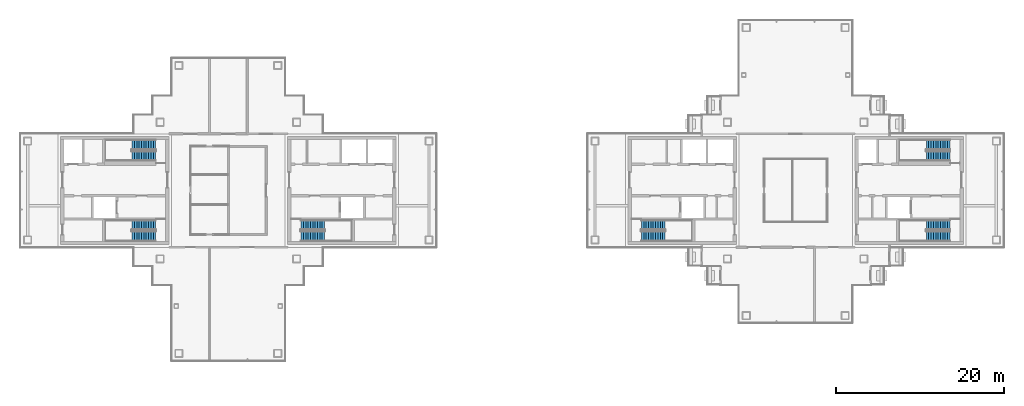
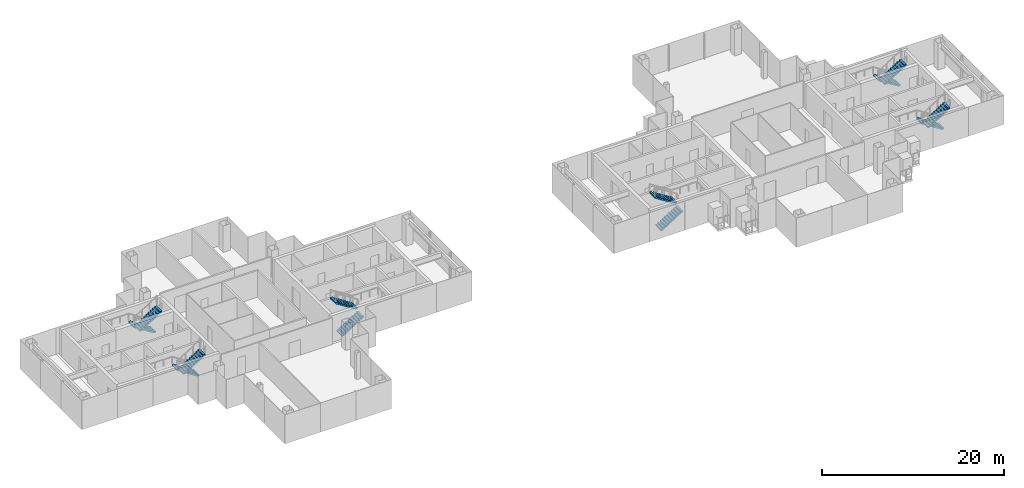
# One storey, part 13 of 16: 12 stair flights, 6 elements without a shape of their own.
"""IFC4 building model written with IfcOpenShell, lengths in metres."""

from ifc_helpers import new_model, si_unit, direction, frame, origin, place, context, subcontext, project, spatial, polyline, outline, extrude, material, type_object, element, aggregate, save


model = new_model("IFC4")

# Units and contexts
model_context = context("Model", 3, precision=1e-05, world=origin(), true_north=direction((0.0, 1.0)))
body_context = subcontext(model_context, "Body", "Model", "MODEL_VIEW")
ifc_project = project(units=[si_unit("LENGTHUNIT", "METRE"), si_unit("AREAUNIT", "SQUARE_METRE"), si_unit("VOLUMEUNIT", "CUBIC_METRE"), si_unit("PLANEANGLEUNIT", "RADIAN"), si_unit("MASSUNIT", "GRAM", prefix="KILO")], contexts=[model_context])

# Site, building, storey
site_placement = place(None, origin())
site = spatial("IfcSite", under=ifc_project, at=site_placement, CompositionType="ELEMENT")
building_placement = place(site_placement, origin())
building = spatial("IfcBuilding", under=site, at=building_placement, Name="Shamsa Quay Exchange Towers", CompositionType="ELEMENT")
storey_placement = place(building_placement, frame((0.0, 0.0, 246.0)))
storey = spatial("IfcBuildingStorey", under=building, at=storey_placement, Name="L59", CompositionType="ELEMENT", Elevation=246.0)

# Stair, stair flights
ifc_material = material(Name="Concrete C40/50", Category="concrete")
stair_type = type_object("IfcStairType", Name="EXIT STAIR 22 RISERS 177 MM", PredefinedType="HALF_TURN_STAIR", material=ifc_material)
stair_1_placement = place(storey_placement, origin())
stair_1 = element("IfcStair", 1, at=stair_1_placement, inside=storey, type_object=stair_type, Name="L59 Exit stair ST1", PredefinedType="HALF_TURN_STAIR")
stair_flight_type = type_object("IfcStairFlightType", Name="EXIT STAIR FLIGHT 11 RISERS 177 MM", PredefinedType="STRAIGHT", material=ifc_material)
stair_flight_1_placement = place(storey_placement, frame((-25.10009765625, -5.449951171875, 0.0)))
stair_flight_1 = element("IfcStairFlight", 2, at=stair_flight_1_placement, type_object=stair_flight_type, Name="ST1 flight 1", NumberOfRisers=11, NumberOfTreads=10, PredefinedType="STRAIGHT", RiserHeight=0.177272727, TreadLength=0.28, context=body_context, shape_type="SweptSolid", body=[
    extrude(outline(polyline([(0.0, 0.0), (0.0, 0.17724609375), (0.280029296875, 0.17724609375), (0.280029296875, 0.3544921875), (0.56005859375, 0.3544921875), (0.56005859375, 0.53173828125), (0.840087890625, 0.53173828125), (0.840087890625, 0.708984375), (1.1201171875, 0.708984375), (1.1201171875, 0.886474609375), (1.39990234375, 0.886474609375), (1.39990234375, 1.063720703125), (1.679931640625, 1.063720703125), (1.679931640625, 1.240966796875), (1.9599609375, 1.240966796875), (1.9599609375, 1.418212890625), (2.239990234375, 1.418212890625), (2.239990234375, 1.595458984375), (2.52001953125, 1.595458984375), (2.52001953125, 1.772705078125), (2.800048828125, 1.772705078125), (2.800048828125, 1.949951171875), (2.800048828125, 1.607177734375), (0.261474609375, 0.0), (0.0, 0.0)])), frame((0.0, 0.60009765625, 0.0), z_axis=(0.0, -1.0, 0.0), x_axis=(1.0, 0.0, 0.0)), (0.0, 0.0, 1.0), 1.199951171875),
])
stair_flight_2_placement = place(storey_placement, frame((-22.300048828125, -4.10009765625, 1.949951171875), z_axis=(0.0, 0.0, 1.0), x_axis=(-1.0, 0.0, 0.0)))
stair_flight_2 = element("IfcStairFlight", 3, at=stair_flight_2_placement, type_object=stair_flight_type, Name="ST1 flight 2", NumberOfRisers=11, NumberOfTreads=10, PredefinedType="STRAIGHT", RiserHeight=0.177272727, TreadLength=0.28, context=body_context, shape_type="SweptSolid", body=[
    extrude(outline(polyline([(0.0, 0.0), (0.0, 0.17724609375), (0.280029296875, 0.17724609375), (0.280029296875, 0.3544921875), (0.56005859375, 0.3544921875), (0.56005859375, 0.53173828125), (0.840087890625, 0.53173828125), (0.840087890625, 0.708984375), (1.1201171875, 0.708984375), (1.1201171875, 0.886474609375), (1.39990234375, 0.886474609375), (1.39990234375, 1.063720703125), (1.679931640625, 1.063720703125), (1.679931640625, 1.240966796875), (1.9599609375, 1.240966796875), (1.9599609375, 1.418212890625), (2.239990234375, 1.418212890625), (2.239990234375, 1.595458984375), (2.52001953125, 1.595458984375), (2.52001953125, 1.772705078125), (2.800048828125, 1.772705078125), (2.800048828125, 1.949951171875), (2.800048828125, 1.607177734375), (0.261474609375, 0.0), (0.0, 0.0)])), frame((0.0, 0.60009765625, 0.0), z_axis=(0.0, -1.0, 0.0), x_axis=(1.0, 0.0, 0.0)), (0.0, 0.0, 1.0), 1.199951171875),
])
aggregate(stair_1, [stair_flight_1, stair_flight_2])

stair_2_placement = place(storey_placement, origin())
stair_2 = element("IfcStair", 4, at=stair_2_placement, inside=storey, type_object=stair_type, Name="L59 Exit stair ST2", PredefinedType="HALF_TURN_STAIR")
stair_flight_3_placement = place(storey_placement, frame((-42.39990234375, -4.10009765625, 0.0), z_axis=(0.0, 0.0, 1.0), x_axis=(-1.0, 0.0, 0.0)))
stair_flight_3 = element("IfcStairFlight", 5, at=stair_flight_3_placement, type_object=stair_flight_type, Name="ST2 flight 1", NumberOfRisers=11, NumberOfTreads=10, PredefinedType="STRAIGHT", RiserHeight=0.177272727, TreadLength=0.28, context=body_context, shape_type="SweptSolid", body=[
    extrude(outline(polyline([(0.0, 0.0), (0.0, 0.17724609375), (0.280029296875, 0.17724609375), (0.280029296875, 0.3544921875), (0.56005859375, 0.3544921875), (0.56005859375, 0.53173828125), (0.840087890625, 0.53173828125), (0.840087890625, 0.708984375), (1.1201171875, 0.708984375), (1.1201171875, 0.886474609375), (1.39990234375, 0.886474609375), (1.39990234375, 1.063720703125), (1.679931640625, 1.063720703125), (1.679931640625, 1.240966796875), (1.9599609375, 1.240966796875), (1.9599609375, 1.418212890625), (2.239990234375, 1.418212890625), (2.239990234375, 1.595458984375), (2.52001953125, 1.595458984375), (2.52001953125, 1.772705078125), (2.800048828125, 1.772705078125), (2.800048828125, 1.949951171875), (2.800048828125, 1.607177734375), (0.261474609375, 0.0), (0.0, 0.0)])), frame((0.0, 0.60009765625, 0.0), z_axis=(0.0, -1.0, 0.0), x_axis=(1.0, 0.0, 0.0)), (0.0, 0.0, 1.0), 1.199951171875),
])
stair_flight_4_placement = place(storey_placement, frame((-45.199951171875, -5.449951171875, 1.949951171875)))
stair_flight_4 = element("IfcStairFlight", 6, at=stair_flight_4_placement, type_object=stair_flight_type, Name="ST2 flight 2", NumberOfRisers=11, NumberOfTreads=10, PredefinedType="STRAIGHT", RiserHeight=0.177272727, TreadLength=0.28, context=body_context, shape_type="SweptSolid", body=[
    extrude(outline(polyline([(0.0, 0.0), (0.0, 0.17724609375), (0.280029296875, 0.17724609375), (0.280029296875, 0.3544921875), (0.56005859375, 0.3544921875), (0.56005859375, 0.53173828125), (0.840087890625, 0.53173828125), (0.840087890625, 0.708984375), (1.1201171875, 0.708984375), (1.1201171875, 0.886474609375), (1.39990234375, 0.886474609375), (1.39990234375, 1.063720703125), (1.679931640625, 1.063720703125), (1.679931640625, 1.240966796875), (1.9599609375, 1.240966796875), (1.9599609375, 1.418212890625), (2.239990234375, 1.418212890625), (2.239990234375, 1.595458984375), (2.52001953125, 1.595458984375), (2.52001953125, 1.772705078125), (2.800048828125, 1.772705078125), (2.800048828125, 1.949951171875), (2.800048828125, 1.607177734375), (0.261474609375, 0.0), (0.0, 0.0)])), frame((0.0, 0.60009765625, 0.0), z_axis=(0.0, -1.0, 0.0), x_axis=(1.0, 0.0, 0.0)), (0.0, 0.0, 1.0), 1.199951171875),
])
aggregate(stair_2, [stair_flight_3, stair_flight_4])

stair_3_placement = place(storey_placement, origin())
stair_3 = element("IfcStair", 7, at=stair_3_placement, inside=storey, type_object=stair_type, Name="L59 Exit stair ST3", PredefinedType="HALF_TURN_STAIR")
stair_flight_5_placement = place(storey_placement, frame((-42.39990234375, 5.449951171875, 0.0), z_axis=(0.0, 0.0, 1.0), x_axis=(-1.0, 0.0, 0.0)))
stair_flight_5 = element("IfcStairFlight", 8, at=stair_flight_5_placement, type_object=stair_flight_type, Name="ST3 flight 1", NumberOfRisers=11, NumberOfTreads=10, PredefinedType="STRAIGHT", RiserHeight=0.177272727, TreadLength=0.28, context=body_context, shape_type="SweptSolid", body=[
    extrude(outline(polyline([(0.0, 0.0), (0.0, 0.17724609375), (0.280029296875, 0.17724609375), (0.280029296875, 0.3544921875), (0.56005859375, 0.3544921875), (0.56005859375, 0.53173828125), (0.840087890625, 0.53173828125), (0.840087890625, 0.708984375), (1.1201171875, 0.708984375), (1.1201171875, 0.886474609375), (1.39990234375, 0.886474609375), (1.39990234375, 1.063720703125), (1.679931640625, 1.063720703125), (1.679931640625, 1.240966796875), (1.9599609375, 1.240966796875), (1.9599609375, 1.418212890625), (2.239990234375, 1.418212890625), (2.239990234375, 1.595458984375), (2.52001953125, 1.595458984375), (2.52001953125, 1.772705078125), (2.800048828125, 1.772705078125), (2.800048828125, 1.949951171875), (2.800048828125, 1.607177734375), (0.261474609375, 0.0), (0.0, 0.0)])), frame((0.0, 0.60009765625, 0.0), z_axis=(0.0, -1.0, 0.0), x_axis=(1.0, 0.0, 0.0)), (0.0, 0.0, 1.0), 1.199951171875),
])
stair_flight_6_placement = place(storey_placement, frame((-45.199951171875, 4.10009765625, 1.949951171875)))
stair_flight_6 = element("IfcStairFlight", 9, at=stair_flight_6_placement, type_object=stair_flight_type, Name="ST3 flight 2", NumberOfRisers=11, NumberOfTreads=10, PredefinedType="STRAIGHT", RiserHeight=0.177272727, TreadLength=0.28, context=body_context, shape_type="SweptSolid", body=[
    extrude(outline(polyline([(0.0, 0.0), (0.0, 0.17724609375), (0.280029296875, 0.17724609375), (0.280029296875, 0.3544921875), (0.56005859375, 0.3544921875), (0.56005859375, 0.53173828125), (0.840087890625, 0.53173828125), (0.840087890625, 0.708984375), (1.1201171875, 0.708984375), (1.1201171875, 0.886474609375), (1.39990234375, 0.886474609375), (1.39990234375, 1.063720703125), (1.679931640625, 1.063720703125), (1.679931640625, 1.240966796875), (1.9599609375, 1.240966796875), (1.9599609375, 1.418212890625), (2.239990234375, 1.418212890625), (2.239990234375, 1.595458984375), (2.52001953125, 1.595458984375), (2.52001953125, 1.772705078125), (2.800048828125, 1.772705078125), (2.800048828125, 1.949951171875), (2.800048828125, 1.607177734375), (0.261474609375, 0.0), (0.0, 0.0)])), frame((0.0, 0.60009765625, 0.0), z_axis=(0.0, -1.0, 0.0), x_axis=(1.0, 0.0, 0.0)), (0.0, 0.0, 1.0), 1.199951171875),
])
aggregate(stair_3, [stair_flight_5, stair_flight_6])

stair_4_placement = place(storey_placement, origin())
stair_4 = element("IfcStair", 10, at=stair_4_placement, inside=storey, type_object=stair_type, Name="L59 Exit stair ST4", PredefinedType="HALF_TURN_STAIR")
stair_flight_7_placement = place(storey_placement, frame((15.39990234375, -5.449951171875, 0.0)))
stair_flight_7 = element("IfcStairFlight", 11, at=stair_flight_7_placement, type_object=stair_flight_type, Name="ST4 flight 1", NumberOfRisers=11, NumberOfTreads=10, PredefinedType="STRAIGHT", RiserHeight=0.177272727, TreadLength=0.28, context=body_context, shape_type="SweptSolid", body=[
    extrude(outline(polyline([(0.0, 0.0), (0.0, 0.17724609375), (0.280029296875, 0.17724609375), (0.280029296875, 0.3544921875), (0.56005859375, 0.3544921875), (0.56005859375, 0.53173828125), (0.840087890625, 0.53173828125), (0.840087890625, 0.708984375), (1.1201171875, 0.708984375), (1.1201171875, 0.886474609375), (1.39990234375, 0.886474609375), (1.39990234375, 1.063720703125), (1.679931640625, 1.063720703125), (1.679931640625, 1.240966796875), (1.9599609375, 1.240966796875), (1.9599609375, 1.418212890625), (2.239990234375, 1.418212890625), (2.239990234375, 1.595458984375), (2.52001953125, 1.595458984375), (2.52001953125, 1.772705078125), (2.800048828125, 1.772705078125), (2.800048828125, 1.949951171875), (2.800048828125, 1.607177734375), (0.261474609375, 0.0), (0.0, 0.0)])), frame((0.0, 0.60009765625, 0.0), z_axis=(0.0, -1.0, 0.0), x_axis=(1.0, 0.0, 0.0)), (0.0, 0.0, 1.0), 1.199951171875),
])
stair_flight_8_placement = place(storey_placement, frame((18.199951171875, -4.10009765625, 1.949951171875), z_axis=(0.0, 0.0, 1.0), x_axis=(-1.0, 0.0, 0.0)))
stair_flight_8 = element("IfcStairFlight", 12, at=stair_flight_8_placement, type_object=stair_flight_type, Name="ST4 flight 2", NumberOfRisers=11, NumberOfTreads=10, PredefinedType="STRAIGHT", RiserHeight=0.177272727, TreadLength=0.28, context=body_context, shape_type="SweptSolid", body=[
    extrude(outline(polyline([(0.0, 0.0), (0.0, 0.17724609375), (0.280029296875, 0.17724609375), (0.280029296875, 0.3544921875), (0.56005859375, 0.3544921875), (0.56005859375, 0.53173828125), (0.840087890625, 0.53173828125), (0.840087890625, 0.708984375), (1.1201171875, 0.708984375), (1.1201171875, 0.886474609375), (1.39990234375, 0.886474609375), (1.39990234375, 1.063720703125), (1.679931640625, 1.063720703125), (1.679931640625, 1.240966796875), (1.9599609375, 1.240966796875), (1.9599609375, 1.418212890625), (2.239990234375, 1.418212890625), (2.239990234375, 1.595458984375), (2.52001953125, 1.595458984375), (2.52001953125, 1.772705078125), (2.800048828125, 1.772705078125), (2.800048828125, 1.949951171875), (2.800048828125, 1.607177734375), (0.261474609375, 0.0), (0.0, 0.0)])), frame((0.0, 0.60009765625, 0.0), z_axis=(0.0, -1.0, 0.0), x_axis=(1.0, 0.0, 0.0)), (0.0, 0.0, 1.0), 1.199951171875),
])
aggregate(stair_4, [stair_flight_7, stair_flight_8])

stair_5_placement = place(storey_placement, origin())
stair_5 = element("IfcStair", 13, at=stair_5_placement, inside=storey, type_object=stair_type, Name="L59 Exit stair ST5", PredefinedType="HALF_TURN_STAIR")
stair_flight_9_placement = place(storey_placement, frame((52.10009765625, -4.10009765625, 0.0), z_axis=(0.0, 0.0, 1.0), x_axis=(-1.0, 0.0, 0.0)))
stair_flight_9 = element("IfcStairFlight", 14, at=stair_flight_9_placement, type_object=stair_flight_type, Name="ST5 flight 1", NumberOfRisers=11, NumberOfTreads=10, PredefinedType="STRAIGHT", RiserHeight=0.177272727, TreadLength=0.28, context=body_context, shape_type="SweptSolid", body=[
    extrude(outline(polyline([(0.0, 0.0), (0.0, 0.17724609375), (0.280029296875, 0.17724609375), (0.280029296875, 0.3544921875), (0.56005859375, 0.3544921875), (0.56005859375, 0.53173828125), (0.840087890625, 0.53173828125), (0.840087890625, 0.708984375), (1.1201171875, 0.708984375), (1.1201171875, 0.886474609375), (1.39990234375, 0.886474609375), (1.39990234375, 1.063720703125), (1.679931640625, 1.063720703125), (1.679931640625, 1.240966796875), (1.9599609375, 1.240966796875), (1.9599609375, 1.418212890625), (2.239990234375, 1.418212890625), (2.239990234375, 1.595458984375), (2.52001953125, 1.595458984375), (2.52001953125, 1.772705078125), (2.800048828125, 1.772705078125), (2.800048828125, 1.949951171875), (2.800048828125, 1.607177734375), (0.261474609375, 0.0), (0.0, 0.0)])), frame((0.0, 0.60009765625, 0.0), z_axis=(0.0, -1.0, 0.0), x_axis=(1.0, 0.0, 0.0)), (0.0, 0.0, 1.0), 1.199951171875),
])
stair_flight_10_placement = place(storey_placement, frame((49.300048828125, -5.449951171875, 1.949951171875)))
stair_flight_10 = element("IfcStairFlight", 15, at=stair_flight_10_placement, type_object=stair_flight_type, Name="ST5 flight 2", NumberOfRisers=11, NumberOfTreads=10, PredefinedType="STRAIGHT", RiserHeight=0.177272727, TreadLength=0.28, context=body_context, shape_type="SweptSolid", body=[
    extrude(outline(polyline([(0.0, 0.0), (0.0, 0.17724609375), (0.280029296875, 0.17724609375), (0.280029296875, 0.3544921875), (0.56005859375, 0.3544921875), (0.56005859375, 0.53173828125), (0.840087890625, 0.53173828125), (0.840087890625, 0.708984375), (1.1201171875, 0.708984375), (1.1201171875, 0.886474609375), (1.39990234375, 0.886474609375), (1.39990234375, 1.063720703125), (1.679931640625, 1.063720703125), (1.679931640625, 1.240966796875), (1.9599609375, 1.240966796875), (1.9599609375, 1.418212890625), (2.239990234375, 1.418212890625), (2.239990234375, 1.595458984375), (2.52001953125, 1.595458984375), (2.52001953125, 1.772705078125), (2.800048828125, 1.772705078125), (2.800048828125, 1.949951171875), (2.800048828125, 1.607177734375), (0.261474609375, 0.0), (0.0, 0.0)])), frame((0.0, 0.60009765625, 0.0), z_axis=(0.0, -1.0, 0.0), x_axis=(1.0, 0.0, 0.0)), (0.0, 0.0, 1.0), 1.199951171875),
])
aggregate(stair_5, [stair_flight_9, stair_flight_10])

stair_6_placement = place(storey_placement, origin())
stair_6 = element("IfcStair", 16, at=stair_6_placement, inside=storey, type_object=stair_type, Name="L59 Exit stair ST6", PredefinedType="HALF_TURN_STAIR")
stair_flight_11_placement = place(storey_placement, frame((52.10009765625, 5.449951171875, 0.0), z_axis=(0.0, 0.0, 1.0), x_axis=(-1.0, 0.0, 0.0)))
stair_flight_11 = element("IfcStairFlight", 17, at=stair_flight_11_placement, type_object=stair_flight_type, Name="ST6 flight 1", NumberOfRisers=11, NumberOfTreads=10, PredefinedType="STRAIGHT", RiserHeight=0.177272727, TreadLength=0.28, context=body_context, shape_type="SweptSolid", body=[
    extrude(outline(polyline([(0.0, 0.0), (0.0, 0.17724609375), (0.280029296875, 0.17724609375), (0.280029296875, 0.3544921875), (0.56005859375, 0.3544921875), (0.56005859375, 0.53173828125), (0.840087890625, 0.53173828125), (0.840087890625, 0.708984375), (1.1201171875, 0.708984375), (1.1201171875, 0.886474609375), (1.39990234375, 0.886474609375), (1.39990234375, 1.063720703125), (1.679931640625, 1.063720703125), (1.679931640625, 1.240966796875), (1.9599609375, 1.240966796875), (1.9599609375, 1.418212890625), (2.239990234375, 1.418212890625), (2.239990234375, 1.595458984375), (2.52001953125, 1.595458984375), (2.52001953125, 1.772705078125), (2.800048828125, 1.772705078125), (2.800048828125, 1.949951171875), (2.800048828125, 1.607177734375), (0.261474609375, 0.0), (0.0, 0.0)])), frame((0.0, 0.60009765625, 0.0), z_axis=(0.0, -1.0, 0.0), x_axis=(1.0, 0.0, 0.0)), (0.0, 0.0, 1.0), 1.199951171875),
])
stair_flight_12_placement = place(storey_placement, frame((49.300048828125, 4.10009765625, 1.949951171875)))
stair_flight_12 = element("IfcStairFlight", 18, at=stair_flight_12_placement, type_object=stair_flight_type, Name="ST6 flight 2", NumberOfRisers=11, NumberOfTreads=10, PredefinedType="STRAIGHT", RiserHeight=0.177272727, TreadLength=0.28, context=body_context, shape_type="SweptSolid", body=[
    extrude(outline(polyline([(0.0, 0.0), (0.0, 0.17724609375), (0.280029296875, 0.17724609375), (0.280029296875, 0.3544921875), (0.56005859375, 0.3544921875), (0.56005859375, 0.53173828125), (0.840087890625, 0.53173828125), (0.840087890625, 0.708984375), (1.1201171875, 0.708984375), (1.1201171875, 0.886474609375), (1.39990234375, 0.886474609375), (1.39990234375, 1.063720703125), (1.679931640625, 1.063720703125), (1.679931640625, 1.240966796875), (1.9599609375, 1.240966796875), (1.9599609375, 1.418212890625), (2.239990234375, 1.418212890625), (2.239990234375, 1.595458984375), (2.52001953125, 1.595458984375), (2.52001953125, 1.772705078125), (2.800048828125, 1.772705078125), (2.800048828125, 1.949951171875), (2.800048828125, 1.607177734375), (0.261474609375, 0.0), (0.0, 0.0)])), frame((0.0, 0.60009765625, 0.0), z_axis=(0.0, -1.0, 0.0), x_axis=(1.0, 0.0, 0.0)), (0.0, 0.0, 1.0), 1.199951171875),
])
aggregate(stair_6, [stair_flight_11, stair_flight_12])

save(model, "model.ifc")
